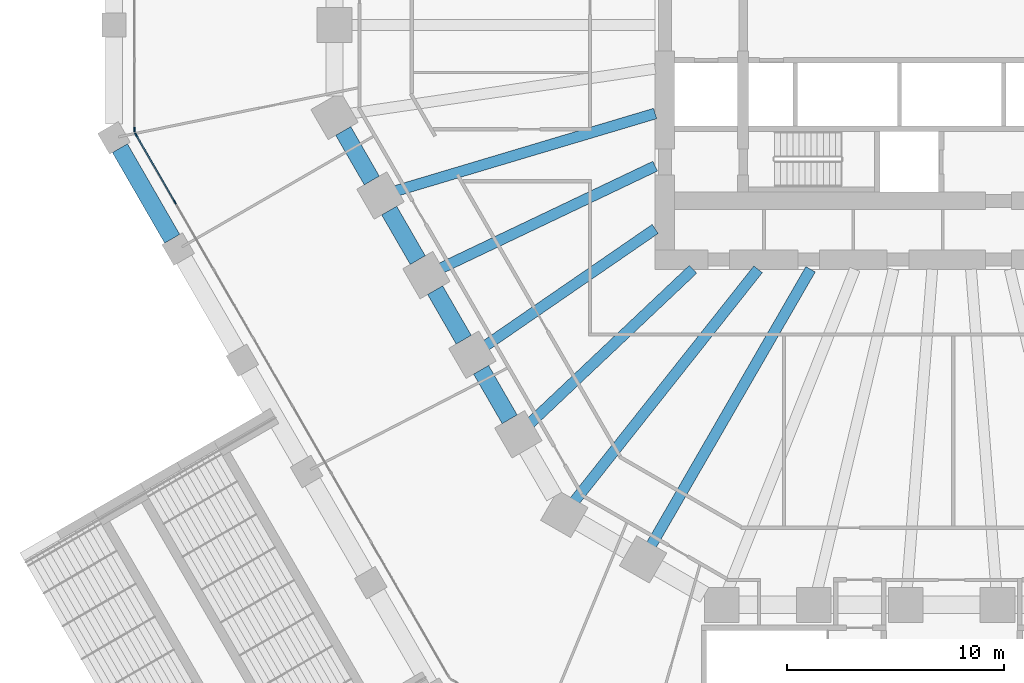
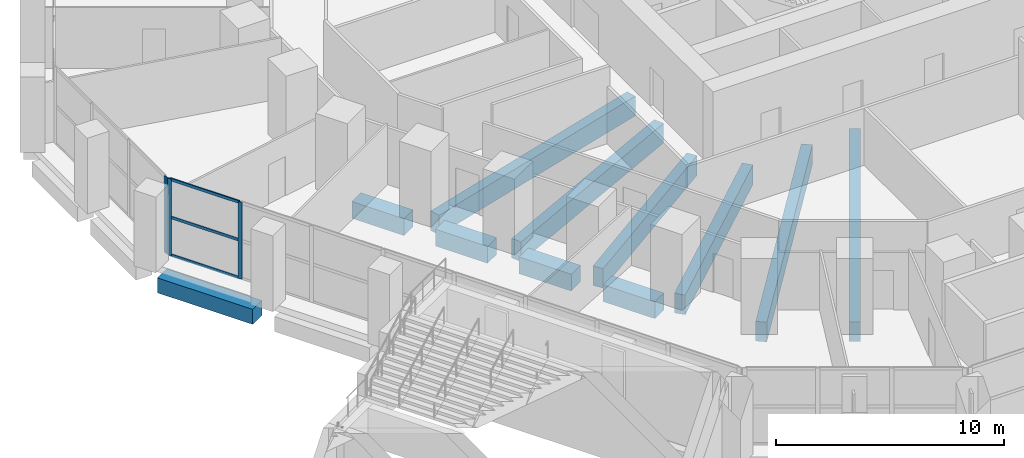
# One storey, part 3 of 38: 11 beams, 6 members, 2 elements without a shape of their own.
"""IFC4 building model written with IfcOpenShell, lengths in metres."""

from ifc_helpers import new_model, si_unit, direction, frame, origin, origin_2d, place, context, subcontext, project, spatial, rectangle, extrude, material, material_profile, profile_set, type_object, element, aggregate, save


model = new_model("IFC4")

# Units and contexts
model_context = context("Model", 3, precision=1e-05, world=origin(), true_north=direction((0.0, 1.0)))
body_context = subcontext(model_context, "Body", "Model", "MODEL_VIEW")
ifc_project = project(units=[si_unit("LENGTHUNIT", "METRE"), si_unit("AREAUNIT", "SQUARE_METRE"), si_unit("VOLUMEUNIT", "CUBIC_METRE"), si_unit("PLANEANGLEUNIT", "RADIAN"), si_unit("MASSUNIT", "GRAM", prefix="KILO")], contexts=[model_context])

# Site, building, storey
site_placement = place(None, origin())
site = spatial("IfcSite", under=ifc_project, at=site_placement, CompositionType="ELEMENT")
building_placement = place(site_placement, origin())
building = spatial("IfcBuilding", under=site, at=building_placement, Name="Frailejon Research Tower", CompositionType="ELEMENT")
storey_placement = place(building_placement, frame((0.0, 0.0, 10.199951171875)))
storey = spatial("IfcBuildingStorey", under=building, at=storey_placement, Name="L02", CompositionType="ELEMENT", Elevation=10.199951171875)

# Beams
ifc_material_1 = material(Name="Concrete C60/75", Category="concrete")
ifc_material_profile_1 = material_profile(ifc_material_1, rectangle(XDim=0.800048828125, YDim=0.800048828125, at=origin_2d()), Name="Base ring beam")
ifc_profile_set_1 = profile_set([ifc_material_profile_1], Name="Concrete C60/75")
beam_type_1 = type_object("IfcBeamType", Name="Base ring beam", PredefinedType="BEAM", material=ifc_profile_set_1)
beam_1_placement = place(storey_placement, frame((-38.294189453125, -5.672607421875, -0.75), z_axis=(0.500028306193, -0.866009060579, 0.0), x_axis=(0.866009060579, 0.500028306193, 0.0)))
element("IfcBeam", 1, at=beam_1_placement, inside=storey, type_object=beam_type_1, Name="Base ring beam", PredefinedType="BEAM", context=body_context, shape_type="SweptSolid", body=[
    extrude(rectangle(XDim=0.800048828125, YDim=0.800048828125, at=origin_2d()), origin(), (0.0, 0.0, 1.0), 4.813720703125),
])
ifc_material_2 = material(Name="Concrete C60/75", Category="concrete")
ifc_material_profile_2 = material_profile(ifc_material_2, rectangle(XDim=0.5, YDim=1.050048828125, at=origin_2d()), Name="Girder 500x1050")
ifc_profile_set_2 = profile_set([ifc_material_profile_2], Name="Concrete C60/75")
beam_type_2 = type_object("IfcBeamType", Name="Girder 500x1050", PredefinedType="BEAM", material=ifc_profile_set_2)
beam_2_placement = place(storey_placement, frame((-25.652587890625, -7.66015625, -0.875), z_axis=(0.958189747387, 0.286133549242, 0.0), x_axis=(-0.286133549242, 0.958189747387, 0.0)))
element("IfcBeam", 2, at=beam_2_placement, inside=storey, type_object=beam_type_2, Name="Girder 500x1050", PredefinedType="BEAM", context=body_context, shape_type="SweptSolid", body=[
    extrude(rectangle(XDim=0.5, YDim=1.050048828125, at=origin_2d()), origin(), (0.0, 0.0, 1.0), 12.5263671875),
])
beam_3_placement = place(storey_placement, frame((-23.591796875, -11.23681640625, -0.875), z_axis=(0.902829780982, 0.429998123917, 0.0), x_axis=(-0.429998123917, 0.902829780982, 0.0)))
element("IfcBeam", 3, at=beam_3_placement, inside=storey, type_object=beam_type_2, Name="Girder 500x1050", PredefinedType="BEAM", context=body_context, shape_type="SweptSolid", body=[
    extrude(rectangle(XDim=0.5, YDim=1.050048828125, at=origin_2d()), origin(), (0.0, 0.0, 1.0), 11.011962890625),
])
beam_4_placement = place(storey_placement, frame((-21.52734375, -14.8125, -0.875), z_axis=(0.823825821578, 0.566843025626, 0.0), x_axis=(-0.566843025626, 0.823825821578, 0.0)))
element("IfcBeam", 4, at=beam_4_placement, inside=storey, type_object=beam_type_2, Name="Girder 500x1050", PredefinedType="BEAM", context=body_context, shape_type="SweptSolid", body=[
    extrude(rectangle(XDim=0.5, YDim=1.050048828125, at=origin_2d()), origin(), (0.0, 0.0, 1.0), 9.56201171875),
])
beam_5_placement = place(storey_placement, frame((-19.460205078125, -18.3857421875, -0.875), z_axis=(0.72688803019, 0.686755991285, 0.0), x_axis=(-0.686755991285, 0.72688803019, 0.0)))
element("IfcBeam", 5, at=beam_5_placement, inside=storey, type_object=beam_type_2, Name="Girder 500x1050", PredefinedType="BEAM", context=body_context, shape_type="SweptSolid", body=[
    extrude(rectangle(XDim=0.5, YDim=1.050048828125, at=origin_2d()), origin(), (0.0, 0.0, 1.0), 10.390625),
])
beam_6_placement = place(storey_placement, frame((-17.423828125, -21.99609375, -0.875), z_axis=(0.62092187156, 0.783872457367, 0.0), x_axis=(-0.783872457367, 0.62092187156, 0.0)))
element("IfcBeam", 6, at=beam_6_placement, inside=storey, type_object=beam_type_2, Name="Girder 500x1050", PredefinedType="BEAM", context=body_context, shape_type="SweptSolid", body=[
    extrude(rectangle(XDim=0.5, YDim=1.050048828125, at=origin_2d()), origin(), (0.0, 0.0, 1.0), 13.708984375),
])
beam_7_placement = place(storey_placement, frame((-13.88134765625, -24.043212890625, -0.875), z_axis=(0.500003328639, 0.866023481986, 0.0), x_axis=(-0.866023481986, 0.500003328639, 0.0)))
element("IfcBeam", 7, at=beam_7_placement, inside=storey, type_object=beam_type_2, Name="Girder 500x1050", PredefinedType="BEAM", context=body_context, shape_type="SweptSolid", body=[
    extrude(rectangle(XDim=0.5, YDim=1.050048828125, at=origin_2d()), origin(), (0.0, 0.0, 1.0), 14.7724609375),
])
ifc_material_3 = material(Name="Concrete C60/75", Category="concrete")
ifc_material_profile_3 = material_profile(ifc_material_3, rectangle(XDim=0.800048828125, YDim=0.89990234375, at=origin_2d()), Name="Podium ring beam")
ifc_profile_set_3 = profile_set([ifc_material_profile_3], Name="Concrete C60/75")
beam_type_3 = type_object("IfcBeamType", Name="Podium ring beam", PredefinedType="BEAM", material=ifc_profile_set_3)
for number, where, z_axis, x_axis, name in (
    (8, (-28.0126953125, -4.88037109375, -0.800048828125), (0.499990112884, -0.866031112038, 0.0), (0.866031112038, 0.499990112884, 0.0), "Podium ring beam"),
    (9, (-25.896728515625, -8.54541015625, -0.800048828125), (0.499990112884, -0.866031112038, 0.0), (0.866031112038, 0.499990112884, 0.0), "Podium ring beam"),
):
    element("IfcBeam", number, at=place(storey_placement, frame(where, z_axis=z_axis, x_axis=x_axis)), inside=storey, type_object=beam_type_3, Name=name, PredefinedType="BEAM", context=body_context, shape_type="SweptSolid", body=[
        extrude(rectangle(XDim=0.800048828125, YDim=0.89990234375, at=origin_2d()), origin(), (0.0, 0.0, 1.0), 2.6318359375),
    ])
beam_8_placement = place(storey_placement, frame((-23.781005859375, -12.210205078125, -0.800048828125), z_axis=(0.500019514865, -0.866014136579, 0.0), x_axis=(0.866014136579, 0.500019514865, 0.0)))
element("IfcBeam", 10, at=beam_8_placement, inside=storey, type_object=beam_type_3, Name="Podium ring beam", PredefinedType="BEAM", context=body_context, shape_type="SweptSolid", body=[
    extrude(rectangle(XDim=0.800048828125, YDim=0.89990234375, at=origin_2d()), origin(), (0.0, 0.0, 1.0), 2.63232421875),
])
beam_9_placement = place(storey_placement, frame((-21.664794921875, -15.875244140625, -0.800048828125), z_axis=(0.499949948743, -0.866054298963, 0.0), x_axis=(0.866054298963, 0.499949948743, 0.0)))
element("IfcBeam", 11, at=beam_9_placement, inside=storey, type_object=beam_type_3, Name="Podium ring beam", PredefinedType="BEAM", context=body_context, shape_type="SweptSolid", body=[
    extrude(rectangle(XDim=0.800048828125, YDim=0.89990234375, at=origin_2d()), origin(), (0.0, 0.0, 1.0), 2.632080078125),
])

# Curtain wall, member
ifc_material_4 = material(Name="Aluminium curtain wall", Category="aluminium")
curtain_wall_type = type_object("IfcCurtainWallType", Name="Podium stick curtain wall system", PredefinedType="NOTDEFINED", material=ifc_material_4)
curtain_wall_1_placement = place(storey_placement, origin())
curtain_wall_1 = element("IfcCurtainWall", 12, at=curtain_wall_1_placement, inside=storey, type_object=curtain_wall_type, Name="Curtain wall L02", PredefinedType="NOTDEFINED")
ifc_material_5 = material(Name="Aluminium extrusion", Category="aluminium")
ifc_material_profile_4 = material_profile(ifc_material_5, rectangle(XDim=0.06005859375, YDim=0.199951171875, at=origin_2d()), Name="Podium stick curtain wall mullion 60x200")
ifc_profile_set_4 = profile_set([ifc_material_profile_4], Name="Aluminium extrusion")
member_type_1 = type_object("IfcMemberType", Name="Podium stick curtain wall mullion 60x200", PredefinedType="MULLION", material=ifc_profile_set_4)
member_1_placement = place(storey_placement, frame((-37.619140625, -4.8115234375, 0.0), z_axis=(0.0, 0.0, 1.0), x_axis=(1.0, 0.0, 0.0)))
member_1 = element("IfcMember", 13, at=member_1_placement, type_object=member_type_1, Name="CW2-039 mullion 4", PredefinedType="MULLION", context=body_context, shape_type="SweptSolid", body=[
    extrude(rectangle(XDim=0.06005859375, YDim=0.199951171875, at=origin_2d()), origin(), (0.0, 0.0, 1.0), 4.10009765625),
])
aggregate(curtain_wall_1, [member_1])

# Curtain wall, members
curtain_wall_2_placement = place(storey_placement, origin())
curtain_wall_2 = element("IfcCurtainWall", 14, at=curtain_wall_2_placement, inside=storey, type_object=curtain_wall_type, Name="Curtain wall L02", PredefinedType="NOTDEFINED")
member_2_placement = place(storey_placement, frame((-37.55419921875, -5.05419921875, 0.0), z_axis=(0.0, 0.0, 1.0), x_axis=(0.86602632934, 0.499998396888, 0.0)))
member_2 = element("IfcMember", 15, at=member_2_placement, type_object=member_type_1, Name="CW2-040 mullion 1", PredefinedType="MULLION", context=body_context, shape_type="SweptSolid", body=[
    extrude(rectangle(XDim=0.06005859375, YDim=0.199951171875, at=origin_2d()), origin(), (0.0, 0.0, 1.0), 4.10009765625),
])
member_3_placement = place(storey_placement, frame((-35.765380859375, -8.15234375, 0.0), z_axis=(0.0, 0.0, 1.0), x_axis=(0.86602632934, 0.499998396888, 0.0)))
member_3 = element("IfcMember", 16, at=member_3_placement, type_object=member_type_1, Name="CW2-040 mullion 2", PredefinedType="MULLION", context=body_context, shape_type="SweptSolid", body=[
    extrude(rectangle(XDim=0.06005859375, YDim=0.199951171875, at=origin_2d()), origin(), (0.0, 0.0, 1.0), 4.10009765625),
])
ifc_material_6 = material(Name="Aluminium extrusion", Category="aluminium")
ifc_material_profile_5 = material_profile(ifc_material_6, rectangle(XDim=0.06005859375, YDim=0.14990234375, at=origin_2d()), Name="Podium stick curtain wall transom 60x150")
ifc_profile_set_5 = profile_set([ifc_material_profile_5], Name="Aluminium extrusion")
member_type_2 = type_object("IfcMemberType", Name="Podium stick curtain wall transom 60x150", PredefinedType="USERDEFINED", material=ifc_profile_set_5)
member_4_placement = place(storey_placement, frame((-37.539306640625, -5.080078125, 0.030029296875), z_axis=(0.499990804263, -0.866030712881, 0.0), x_axis=(0.866030712881, 0.499990804263, 0.0)))
member_4 = element("IfcMember", 17, at=member_4_placement, type_object=member_type_2, Name="CW2-040 transom 1.1", ObjectType="TRANSOM", PredefinedType="USERDEFINED", context=body_context, shape_type="SweptSolid", body=[
    extrude(rectangle(XDim=0.06005859375, YDim=0.14990234375, at=origin_2d()), origin(), (0.0, 0.0, 1.0), 3.517578125),
])
member_5_placement = place(storey_placement, frame((-37.539306640625, -5.080078125, 2.050048828125), z_axis=(0.499990804263, -0.866030712881, 0.0), x_axis=(0.866030712881, 0.499990804263, 0.0)))
member_5 = element("IfcMember", 18, at=member_5_placement, type_object=member_type_2, Name="CW2-040 transom 1.2", ObjectType="TRANSOM", PredefinedType="USERDEFINED", context=body_context, shape_type="SweptSolid", body=[
    extrude(rectangle(XDim=0.06005859375, YDim=0.14990234375, at=origin_2d()), origin(), (0.0, 0.0, 1.0), 3.517578125),
])
member_6_placement = place(storey_placement, frame((-37.539306640625, -5.080078125, 4.070068359375), z_axis=(0.499990804263, -0.866030712881, 0.0), x_axis=(0.866030712881, 0.499990804263, 0.0)))
member_6 = element("IfcMember", 19, at=member_6_placement, type_object=member_type_2, Name="CW2-040 transom 1.3", ObjectType="TRANSOM", PredefinedType="USERDEFINED", context=body_context, shape_type="SweptSolid", body=[
    extrude(rectangle(XDim=0.06005859375, YDim=0.14990234375, at=origin_2d()), origin(), (0.0, 0.0, 1.0), 3.517578125),
])
aggregate(curtain_wall_2, [member_2, member_3, member_4, member_5, member_6])

save(model, "model.ifc")
